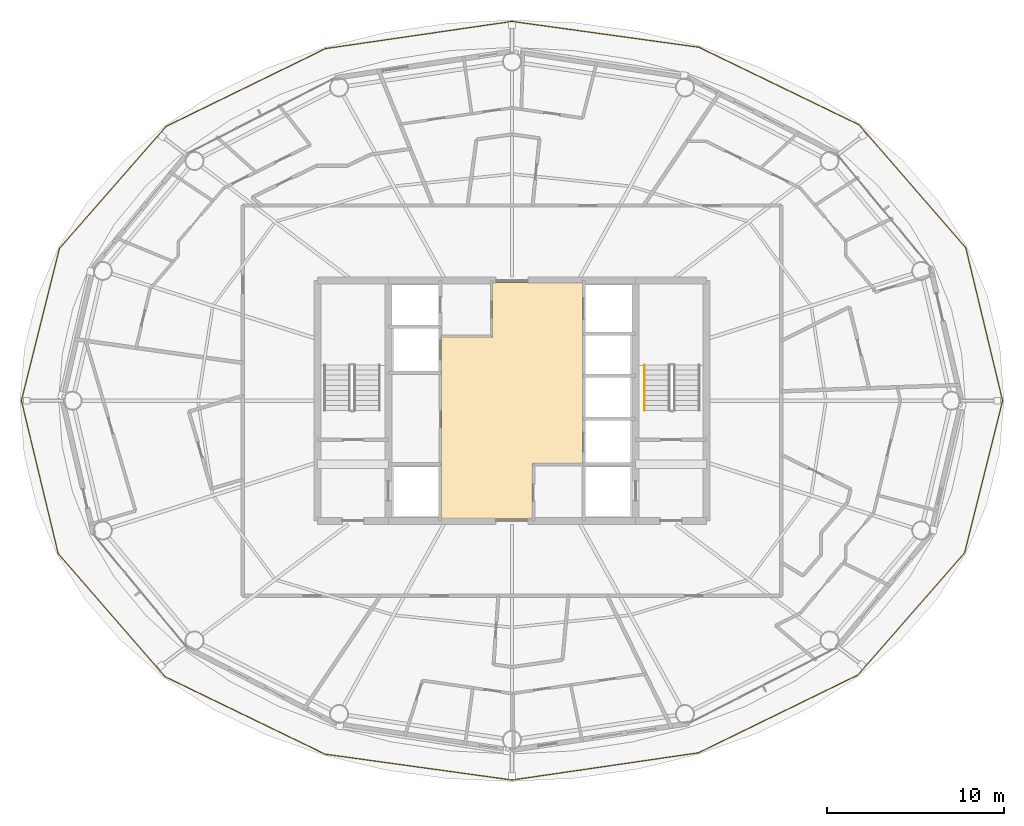
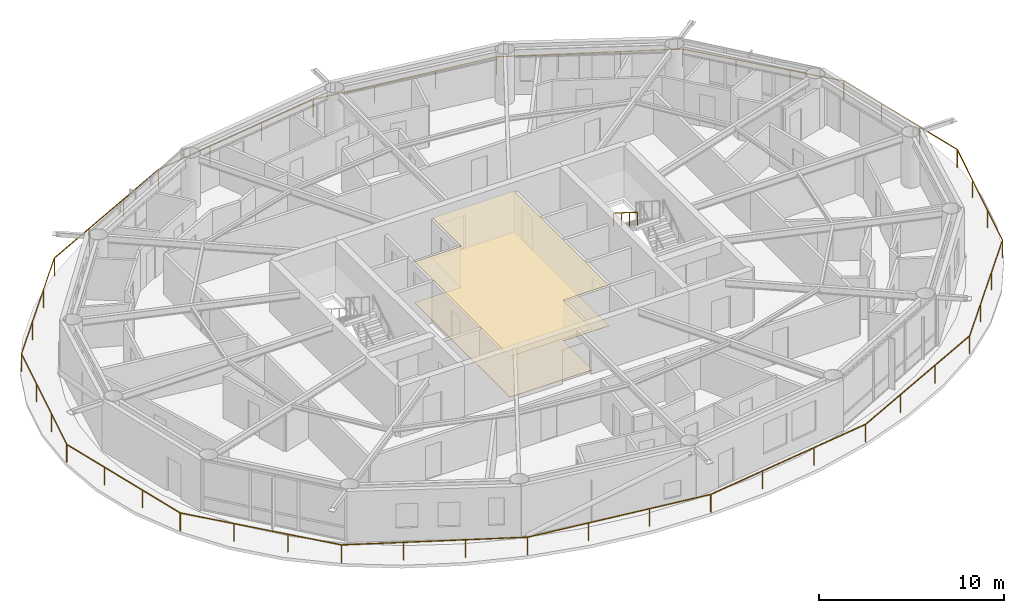
# One storey, part 22 of 23: 2 coverings, 2 railings.
"""IFC4 building model written with IfcOpenShell, lengths in metres."""

import ifcopenshell
import ifcopenshell.guid

model = None  # the IFC model being written
_history = None  # IfcOwnerHistory: only IFC2X3 demands one
_inside = {}  # id of a spatial element -> (the spatial element, [elements in it])
_under = {}  # id of a project, library or spatial element -> (it, [spatial elements below it])
_declared = {}  # id of a project -> (the project, [libraries it declares])
_typed = {}  # id of a type object -> (the type object, [elements of that type])
_made_of = {}  # id of a material, layer set ... -> (it, [elements and type objects made of it])


def new_model(schema):
    """Start an empty IFC model of exactly this schema.

    Asked for "IFC4X3", IfcOpenShell would pick the latest addendum, in which some entities
    have other attributes; the version numbers below select the first issue.
    IFC2X3 requires an IfcOwnerHistory on every rooted entity: one is made here for all.
    """
    global model, _history
    if schema == "IFC4X3":
        model = ifcopenshell.file(schema_version=(4, 3, 0, 0))
    else:
        model = ifcopenshell.file(schema=schema)
    _inside.clear()
    _under.clear()
    _declared.clear()
    _typed.clear()
    _made_of.clear()
    _history = None
    if model.schema == "IFC2X3":
        org = make("IfcOrganization", Name="unknown")
        user = make(
            "IfcPersonAndOrganization",
            ThePerson=make("IfcPerson", FamilyName="unknown"),
            TheOrganization=org,
        )
        app = make(
            "IfcApplication",
            ApplicationDeveloper=org,
            Version="unknown",
            ApplicationFullName="unknown",
            ApplicationIdentifier="unknown",
        )
        _history = make(
            "IfcOwnerHistory",
            OwningUser=user,
            OwningApplication=app,
            ChangeAction="ADDED",
            CreationDate=0,
        )
    return model


def make(cls, **values):
    """One entity of the class cls with the attributes given. An attribute that is None is left unset."""
    return model.create_entity(
        cls, **{name: value for name, value in values.items() if value is not None}
    )


def rooted(cls, **values):
    """An entity with a GlobalId (a new one), such as an element, a storey or a relation."""
    return make(cls, GlobalId=ifcopenshell.guid.new(), OwnerHistory=_history, **values)


def si_unit(unit_type, name, prefix=None):
    """IfcSIUnit, for example si_unit("LENGTHUNIT", "METRE", prefix="MILLI")."""
    return make("IfcSIUnit", UnitType=unit_type, Prefix=prefix, Name=name)


def assignment(units):
    """IfcUnitAssignment: the units of a project."""
    return None if units is None else make("IfcUnitAssignment", Units=units)


def point(xyz):
    """IfcCartesianPoint."""
    return None if xyz is None else make("IfcCartesianPoint", Coordinates=xyz)


def direction(xyz):
    """IfcDirection."""
    return None if xyz is None else make("IfcDirection", DirectionRatios=xyz)


def frame(location, z_axis=None, x_axis=None):
    """IfcAxis2Placement3D, a coordinate frame: its origin and axes. An axis left out is left unset."""
    return make(
        "IfcAxis2Placement3D",
        Location=point(location),
        Axis=direction(z_axis),
        RefDirection=direction(x_axis),
    )


def frame_2d(location, x_axis=None):
    """IfcAxis2Placement2D, a coordinate frame in the plane: its origin and x axis."""
    return make(
        "IfcAxis2Placement2D", Location=point(location), RefDirection=direction(x_axis)
    )


def origin():
    """The frame at (0, 0, 0) with its axes left unset."""
    return frame((0.0, 0.0, 0.0))


def origin_2d():
    """The frame at (0, 0) in the plane with its x axis left unset."""
    return frame_2d((0.0, 0.0))


def place(relative_to, where):
    """IfcLocalPlacement: puts the frame where relative to a parent placement (None: the world)."""
    return make(
        "IfcLocalPlacement", PlacementRelTo=relative_to, RelativePlacement=where
    )


def context(
    kind, dimensions, precision=None, world=None, true_north=None, identifier=None
):
    """IfcGeometricRepresentationContext, for example the 3D "Model" context."""
    return make(
        "IfcGeometricRepresentationContext",
        ContextIdentifier=identifier,
        ContextType=kind,
        CoordinateSpaceDimension=dimensions,
        Precision=precision,
        WorldCoordinateSystem=world,
        TrueNorth=true_north,
    )


def subcontext(parent, identifier, kind, view, scale=None):
    """IfcGeometricRepresentationSubContext, for example "Body" below "Model"."""
    return make(
        "IfcGeometricRepresentationSubContext",
        ContextIdentifier=identifier,
        ContextType=kind,
        ParentContext=parent,
        TargetScale=scale,
        TargetView=view,
    )


def project(units=None, contexts=None):
    """IfcProject with its units and contexts."""
    return rooted(
        "IfcProject",
        Name="project",
        RepresentationContexts=contexts,
        UnitsInContext=assignment(units),
    )


def spatial(cls, under=None, at=None, **own):
    """A site, building, storey or space (cls), placed at a placement, below another one or the project."""
    s = rooted(cls, ObjectPlacement=at, **own)
    if under is not None:
        _under.setdefault(under.id(), (under, []))[1].append(s)
    return s


def polyline(points):
    """IfcPolyline through the points."""
    return make("IfcPolyline", Points=[point(p) for p in points])


def profile(cls, at=None, kind="AREA", **sizes):
    """A parametric profile (cls). Its sizes go by their IFC names, for example OverallWidth=200.0."""
    return make(cls, ProfileType=kind, Position=at, **sizes)


def rectangle(**sizes):
    """IfcRectangleProfileDef."""
    return profile("IfcRectangleProfileDef", **sizes)


def outline(outer, holes=None, kind="AREA"):
    """IfcArbitraryClosedProfileDef: a profile drawn as a closed curve; with holes, ...WithVoids."""
    if holes is None:
        return make("IfcArbitraryClosedProfileDef", ProfileType=kind, OuterCurve=outer)
    return make(
        "IfcArbitraryProfileDefWithVoids",
        ProfileType=kind,
        OuterCurve=outer,
        InnerCurves=holes,
    )


def extrude(swept, where, along, depth):
    """IfcExtrudedAreaSolid: the profile swept, set in the frame where, extruded along a direction by depth."""
    return make(
        "IfcExtrudedAreaSolid",
        SweptArea=swept,
        Position=where,
        ExtrudedDirection=direction(along),
        Depth=depth,
    )


def shape(context_of_items, identifier, shape_type, items):
    """IfcShapeRepresentation: the items that make up one representation, for example the "Body"."""
    return make(
        "IfcShapeRepresentation",
        ContextOfItems=context_of_items,
        RepresentationIdentifier=identifier,
        RepresentationType=shape_type,
        Items=items,
    )


def material(Name=None, Category=None):
    """IfcMaterial."""
    return make("IfcMaterial", Name=Name, Category=Category)


def layer(
    of_material, thickness, ventilated=None, Name=None, Category=None, Priority=None
):
    """IfcMaterialLayer: one layer of a wall or slab, of a material (None: an air gap)."""
    return make(
        "IfcMaterialLayer",
        Material=of_material,
        LayerThickness=thickness,
        IsVentilated=ventilated,
        Name=Name,
        Category=Category,
        Priority=Priority,
    )


def layer_set(layers, Name=None):
    """IfcMaterialLayerSet."""
    return make("IfcMaterialLayerSet", MaterialLayers=layers, LayerSetName=Name)


def made_of(thing, what):
    """Note that an element or type object is made of a material, layer set ...; save() writes the relation."""
    if what is not None:
        _made_of.setdefault(what.id(), (what, []))[1].append(thing)
    return thing


def type_object(cls, material=None, **own):
    """A type object (cls), such as IfcWallType, which elements share."""
    return made_of(rooted(cls, **own), material)


def element(
    cls,
    number,
    at=None,
    inside=None,
    cuts=None,
    type_object=None,
    material=None,
    context=None,
    identifier="Body",
    shape_type=None,
    held_by="IfcProductDefinitionShape",
    body=None,
    shapes=None,
    **own,
):
    """One element of the class cls, such as IfcWall. Its Tag is "e" and its number.

    at: its placement. inside: the storey or other place that contains it. cuts: it is an
    opening in that element (IfcRelVoidsElement). A single representation is given by context,
    identifier, shape_type and body (its items); several are given by shapes. held_by: the class
    of the entity that holds the representations. save() writes the other relations.
    """
    e = rooted(cls, Tag="e%d" % number, ObjectPlacement=at, **own)
    if body is not None:
        shapes = [shape(context, identifier, shape_type, body)]
    if shapes is not None:
        e.Representation = make(held_by, Representations=shapes)
    if inside is not None:
        _inside.setdefault(inside.id(), (inside, []))[1].append(e)
    if cuts is not None:
        rooted(
            "IfcRelVoidsElement", RelatingBuildingElement=cuts, RelatedOpeningElement=e
        )
    if type_object is not None:
        _typed.setdefault(type_object.id(), (type_object, []))[1].append(e)
    return made_of(e, material)


def aggregate(whole, parts):
    """IfcRelAggregates: a whole, such as a stair, and the parts it consists of."""
    return rooted("IfcRelAggregates", RelatingObject=whole, RelatedObjects=parts)


def save(model, path):
    """Write the relations noted so far, then the file.

    IfcRelAggregates (storeys below a building ...), IfcRelContainedInSpatialStructure (elements
    in a storey), IfcRelDefinesByType, IfcRelAssociatesMaterial and IfcRelDeclares: one each for
    every whole, place, type object, material and project.
    """
    for whole, parts in _under.values():
        aggregate(whole, parts)
    for where, things in _inside.values():
        rooted(
            "IfcRelContainedInSpatialStructure",
            RelatedElements=things,
            RelatingStructure=where,
        )
    for kind, things in _typed.values():
        rooted("IfcRelDefinesByType", RelatedObjects=things, RelatingType=kind)
    for what, things in _made_of.values():
        rooted("IfcRelAssociatesMaterial", RelatedObjects=things, RelatingMaterial=what)
    for by, libraries in _declared.values():
        rooted("IfcRelDeclares", RelatingContext=by, RelatedDefinitions=libraries)
    model.write(path)


model = new_model("IFC4")

# Units and contexts
model_context = context("Model", 3, precision=1e-05, world=origin(), true_north=direction((0.0, 1.0)))
body_context = subcontext(model_context, "Body", "Model", "MODEL_VIEW")
ifc_project = project(units=[si_unit("LENGTHUNIT", "METRE"), si_unit("AREAUNIT", "SQUARE_METRE"), si_unit("VOLUMEUNIT", "CUBIC_METRE"), si_unit("PLANEANGLEUNIT", "RADIAN"), si_unit("MASSUNIT", "GRAM", prefix="KILO")], contexts=[model_context])

# Site, building, storey
site_placement = place(None, origin())
site = spatial("IfcSite", under=ifc_project, at=site_placement, CompositionType="ELEMENT")
building_placement = place(site_placement, origin())
building = spatial("IfcBuilding", under=site, at=building_placement, Name="Sarneth Arch Tower", CompositionType="ELEMENT")
storey_placement = place(building_placement, frame((0.0, 0.0, 235.199951171875)))
storey = spatial("IfcBuildingStorey", under=building, at=storey_placement, Name="L60", CompositionType="ELEMENT", Elevation=235.199951171875)

# Coverings
ifc_material_1 = material(Name="Perforated acoustic gypsum ceiling board")
ifc_layer_1 = layer(ifc_material_1, 0.02490234375)
ifc_layer_set_1 = layer_set([ifc_layer_1], Name="Perforated acoustic gypsum ceiling board")
covering_type_1 = type_object("IfcCoveringType", Name="COV-CEIL-GYP", PredefinedType="CEILING", material=ifc_layer_set_1)
covering_1_placement = place(storey_placement, frame((0.0, 0.0, 2.68994140625)))
element("IfcCovering", 1, at=covering_1_placement, inside=storey, type_object=covering_type_1, Name="L60 Lift lobby acoustic ceiling", PredefinedType="CEILING", context=body_context, shape_type="SweptSolid", body=[
    extrude(outline(polyline([(49.14990234375, 38.449951171875), (49.14990234375, 35.300048828125), (44.0, 35.300048828125), (44.0, 45.60009765625), (46.89990234375, 45.60009765625), (46.89990234375, 48.699951171875), (52.0, 48.699951171875), (52.0, 38.449951171875), (49.14990234375, 38.449951171875)])), origin(), (0.0, 0.0, 1.0), 0.030029296875),
])
ifc_material_2 = material(Name="Honed granite stone flooring", Category="masonry")
ifc_layer_2 = layer(ifc_material_2, 0.030029296875)
ifc_layer_set_2 = layer_set([ifc_layer_2], Name="Honed granite stone flooring")
covering_type_2 = type_object("IfcCoveringType", Name="COV-FLR-STONE", PredefinedType="FLOORING", material=ifc_layer_set_2)
covering_2_placement = place(storey_placement, origin())
element("IfcCovering", 2, at=covering_2_placement, inside=storey, type_object=covering_type_2, Name="L60 Lift lobby granite flooring", PredefinedType="FLOORING", context=body_context, shape_type="SweptSolid", body=[
    extrude(outline(polyline([(49.14990234375, 38.449951171875), (49.14990234375, 35.300048828125), (44.0, 35.300048828125), (44.0, 45.60009765625), (46.89990234375, 45.60009765625), (46.89990234375, 48.699951171875), (52.0, 48.699951171875), (52.0, 38.449951171875), (49.14990234375, 38.449951171875)])), origin(), (0.0, 0.0, 1.0), 0.030029296875),
])

# Railings
ifc_material_3 = material(Name="Laminated structural glass infill with Stainless Steel 316 top rail and posts", Category="steel")
railing_type_1 = type_object("IfcRailingType", Name="RAIL-BALC-1200", PredefinedType="BALUSTRADE", material=ifc_material_3)
railing_1_placement = place(storey_placement, frame((75.77587890625, 42.0, 0.0)))
element("IfcRailing", 3, at=railing_1_placement, inside=storey, type_object=railing_type_1, Name="L60 Helical balcony glass balustrade", PredefinedType="BALUSTRADE", context=body_context, shape_type="SweptSolid", body=[
    extrude(rectangle(XDim=0.048095703125, YDim=0.048095703125, at=origin_2d()), frame((0.0, 0.0, 1.17578125), z_axis=(-0.23393386754, 0.972252511243, 0.0), x_axis=(-0.972252511243, -0.23393386754, 0.0)), (0.0, 0.0, 1.0), 8.9052734375),
    extrude(rectangle(XDim=0.048095703125, YDim=0.048095703125, at=origin_2d()), frame((-2.083251953125, 8.658203125, 1.17578125), z_axis=(-0.655413300082, 0.755270419172, 0.0), x_axis=(-0.755270419172, -0.655413300082, 0.0)), (0.0, 0.0, 1.0), 9.2197265625),
    extrude(rectangle(XDim=0.048095703125, YDim=0.048095703125, at=origin_2d()), frame((-8.1259765625, 15.62158203125, 1.17578125), z_axis=(-0.900108693958, 0.435665398053, 0.0), x_axis=(-0.435665398053, -0.900108693958, 0.0)), (0.0, 0.0, 1.0), 10.07861328125),
    extrude(rectangle(XDim=0.048095703125, YDim=0.048095703125, at=origin_2d()), frame((-17.19775390625, 20.012451171875, 1.17578125), z_axis=(-0.990578611363, 0.136945298238, 0.0), x_axis=(-0.136945298238, -0.990578611363, 0.0)), (0.0, 0.0, 1.0), 10.6787109375),
    extrude(rectangle(XDim=0.048095703125, YDim=0.048095703125, at=origin_2d()), frame((-27.77587890625, 21.474853515625, 1.17578125), z_axis=(-0.989540742628, -0.144253660885, 0.0), x_axis=(0.144253660885, -0.989540742628, 0.0)), (0.0, 0.0, 1.0), 10.665771484375),
    extrude(rectangle(XDim=0.048095703125, YDim=0.048095703125, at=origin_2d()), frame((-38.330078125, 19.936279296875, 1.17578125), z_axis=(-0.898730601607, -0.438501203802, 0.0), x_axis=(0.438501203802, -0.898730601607, 0.0)), (0.0, 0.0, 1.0), 10.045166015625),
    extrude(rectangle(XDim=0.048095703125, YDim=0.048095703125, at=origin_2d()), frame((-47.35791015625, 15.531494140625, 1.17578125), z_axis=(-0.658067679289, -0.752958783384, 0.0), x_axis=(0.752958783384, -0.658067679289, 0.0)), (0.0, 0.0, 1.0), 9.179931640625),
    extrude(rectangle(XDim=0.048095703125, YDim=0.048095703125, at=origin_2d()), frame((-53.39892578125, 8.619384765625, 1.17578125), z_axis=(-0.242322241881, -0.970195821002, 0.0), x_axis=(0.970195821002, -0.242322241881, 0.0)), (0.0, 0.0, 1.0), 8.88427734375),
    extrude(rectangle(XDim=0.048095703125, YDim=0.048095703125, at=origin_2d()), frame((-55.5517578125, 0.0, 1.17578125), z_axis=(0.23393386754, -0.972252511243, 0.0), x_axis=(0.972252511243, 0.23393386754, 0.0)), (0.0, 0.0, 1.0), 8.9052734375),
    extrude(rectangle(XDim=0.048095703125, YDim=0.048095703125, at=origin_2d()), frame((-53.468505859375, -8.658203125, 1.17578125), z_axis=(0.655413300082, -0.755270419172, 0.0), x_axis=(0.755270419172, 0.655413300082, 0.0)), (0.0, 0.0, 1.0), 9.2197265625),
    extrude(rectangle(XDim=0.048095703125, YDim=0.048095703125, at=origin_2d()), frame((-47.42578125, -15.62158203125, 1.17578125), z_axis=(0.900108693958, -0.435665398053, 0.0), x_axis=(0.435665398053, 0.900108693958, 0.0)), (0.0, 0.0, 1.0), 10.07861328125),
    extrude(rectangle(XDim=0.048095703125, YDim=0.048095703125, at=origin_2d()), frame((-38.35400390625, -20.012451171875, 1.17578125), z_axis=(0.990578611363, -0.136945298238, 0.0), x_axis=(0.136945298238, 0.990578611363, 0.0)), (0.0, 0.0, 1.0), 10.6787109375),
    extrude(rectangle(XDim=0.048095703125, YDim=0.048095703125, at=origin_2d()), frame((-27.77587890625, -21.474853515625, 1.17578125), z_axis=(0.989540742628, 0.144253660885, 0.0), x_axis=(-0.144253660885, 0.989540742628, 0.0)), (0.0, 0.0, 1.0), 10.665771484375),
    extrude(rectangle(XDim=0.048095703125, YDim=0.048095703125, at=origin_2d()), frame((-17.2216796875, -19.936279296875, 1.17578125), z_axis=(0.898730601607, 0.438501203802, 0.0), x_axis=(-0.438501203802, 0.898730601607, 0.0)), (0.0, 0.0, 1.0), 10.045166015625),
    extrude(rectangle(XDim=0.048095703125, YDim=0.048095703125, at=origin_2d()), frame((-8.19384765625, -15.531494140625, 1.17578125), z_axis=(0.658067679289, 0.752958783384, 0.0), x_axis=(-0.752958783384, 0.658067679289, 0.0)), (0.0, 0.0, 1.0), 9.179931640625),
    extrude(rectangle(XDim=0.048095703125, YDim=0.048095703125, at=origin_2d()), frame((-2.15283203125, -8.619384765625, 1.17578125), z_axis=(0.242322241881, 0.970195821002, 0.0), x_axis=(-0.970195821002, 0.242322241881, 0.0)), (0.0, 0.0, 1.0), 8.88427734375),
    extrude(rectangle(XDim=0.0419921875, YDim=0.0419921875, at=origin_2d()), origin(), (0.0, 0.0, 1.0), 1.15185546875),
    extrude(rectangle(XDim=0.0419921875, YDim=0.0419921875, at=origin_2d()), frame((-0.6943359375, 2.885986328125, 0.0)), (0.0, 0.0, 1.0), 1.15185546875),
    extrude(rectangle(XDim=0.0419921875, YDim=0.0419921875, at=origin_2d()), frame((-1.388916015625, 5.772216796875, 0.0)), (0.0, 0.0, 1.0), 1.15185546875),
    extrude(rectangle(XDim=0.0419921875, YDim=0.0419921875, at=origin_2d()), frame((-2.083251953125, 8.658203125, 0.0)), (0.0, 0.0, 1.0), 1.15185546875),
    extrude(rectangle(XDim=0.0419921875, YDim=0.0419921875, at=origin_2d()), frame((-4.097412109375, 10.979248046875, 0.0)), (0.0, 0.0, 1.0), 1.15185546875),
    extrude(rectangle(XDim=0.0419921875, YDim=0.0419921875, at=origin_2d()), frame((-6.11181640625, 13.300537109375, 0.0)), (0.0, 0.0, 1.0), 1.15185546875),
    extrude(rectangle(XDim=0.0419921875, YDim=0.0419921875, at=origin_2d()), frame((-8.1259765625, 15.62158203125, 0.0)), (0.0, 0.0, 1.0), 1.15185546875),
    extrude(rectangle(XDim=0.0419921875, YDim=0.0419921875, at=origin_2d()), frame((-11.14990234375, 17.085205078125, 0.0)), (0.0, 0.0, 1.0), 1.15185546875),
    extrude(rectangle(XDim=0.0419921875, YDim=0.0419921875, at=origin_2d()), frame((-14.173828125, 18.548828125, 0.0)), (0.0, 0.0, 1.0), 1.15185546875),
    extrude(rectangle(XDim=0.0419921875, YDim=0.0419921875, at=origin_2d()), frame((-17.19775390625, 20.012451171875, 0.0)), (0.0, 0.0, 1.0), 1.15185546875),
    extrude(rectangle(XDim=0.0419921875, YDim=0.0419921875, at=origin_2d()), frame((-20.723876953125, 20.5, 0.0)), (0.0, 0.0, 1.0), 1.15185546875),
    extrude(rectangle(XDim=0.0419921875, YDim=0.0419921875, at=origin_2d()), frame((-24.249755859375, 20.9873046875, 0.0)), (0.0, 0.0, 1.0), 1.15185546875),
    extrude(rectangle(XDim=0.0419921875, YDim=0.0419921875, at=origin_2d()), frame((-27.77587890625, 21.474853515625, 0.0)), (0.0, 0.0, 1.0), 1.15185546875),
    extrude(rectangle(XDim=0.0419921875, YDim=0.0419921875, at=origin_2d()), frame((-31.2939453125, 20.9619140625, 0.0)), (0.0, 0.0, 1.0), 1.15185546875),
    extrude(rectangle(XDim=0.0419921875, YDim=0.0419921875, at=origin_2d()), frame((-34.81201171875, 20.44921875, 0.0)), (0.0, 0.0, 1.0), 1.15185546875),
    extrude(rectangle(XDim=0.0419921875, YDim=0.0419921875, at=origin_2d()), frame((-38.330078125, 19.936279296875, 0.0)), (0.0, 0.0, 1.0), 1.15185546875),
    extrude(rectangle(XDim=0.0419921875, YDim=0.0419921875, at=origin_2d()), frame((-41.33935546875, 18.468017578125, 0.0)), (0.0, 0.0, 1.0), 1.15185546875),
    extrude(rectangle(XDim=0.0419921875, YDim=0.0419921875, at=origin_2d()), frame((-44.3486328125, 16.999755859375, 0.0)), (0.0, 0.0, 1.0), 1.15185546875),
    extrude(rectangle(XDim=0.0419921875, YDim=0.0419921875, at=origin_2d()), frame((-47.35791015625, 15.531494140625, 0.0)), (0.0, 0.0, 1.0), 1.15185546875),
    extrude(rectangle(XDim=0.0419921875, YDim=0.0419921875, at=origin_2d()), frame((-49.37158203125, 13.2275390625, 0.0)), (0.0, 0.0, 1.0), 1.15185546875),
    extrude(rectangle(XDim=0.0419921875, YDim=0.0419921875, at=origin_2d()), frame((-51.38525390625, 10.92333984375, 0.0)), (0.0, 0.0, 1.0), 1.15185546875),
    extrude(rectangle(XDim=0.0419921875, YDim=0.0419921875, at=origin_2d()), frame((-53.39892578125, 8.619384765625, 0.0)), (0.0, 0.0, 1.0), 1.15185546875),
    extrude(rectangle(XDim=0.0419921875, YDim=0.0419921875, at=origin_2d()), frame((-54.116455078125, 5.746337890625, 0.0)), (0.0, 0.0, 1.0), 1.15185546875),
    extrude(rectangle(XDim=0.0419921875, YDim=0.0419921875, at=origin_2d()), frame((-54.834228515625, 2.873046875, 0.0)), (0.0, 0.0, 1.0), 1.15185546875),
    extrude(rectangle(XDim=0.0419921875, YDim=0.0419921875, at=origin_2d()), frame((-55.5517578125, 0.0, 0.0)), (0.0, 0.0, 1.0), 1.15185546875),
    extrude(rectangle(XDim=0.0419921875, YDim=0.0419921875, at=origin_2d()), frame((-54.857421875, -2.885986328125, 0.0)), (0.0, 0.0, 1.0), 1.15185546875),
    extrude(rectangle(XDim=0.0419921875, YDim=0.0419921875, at=origin_2d()), frame((-54.162841796875, -5.772216796875, 0.0)), (0.0, 0.0, 1.0), 1.15185546875),
    extrude(rectangle(XDim=0.0419921875, YDim=0.0419921875, at=origin_2d()), frame((-53.468505859375, -8.658203125, 0.0)), (0.0, 0.0, 1.0), 1.15185546875),
    extrude(rectangle(XDim=0.0419921875, YDim=0.0419921875, at=origin_2d()), frame((-51.454345703125, -10.979248046875, 0.0)), (0.0, 0.0, 1.0), 1.15185546875),
    extrude(rectangle(XDim=0.0419921875, YDim=0.0419921875, at=origin_2d()), frame((-49.43994140625, -13.300537109375, 0.0)), (0.0, 0.0, 1.0), 1.15185546875),
    extrude(rectangle(XDim=0.0419921875, YDim=0.0419921875, at=origin_2d()), frame((-47.42578125, -15.62158203125, 0.0)), (0.0, 0.0, 1.0), 1.15185546875),
    extrude(rectangle(XDim=0.0419921875, YDim=0.0419921875, at=origin_2d()), frame((-44.40185546875, -17.085205078125, 0.0)), (0.0, 0.0, 1.0), 1.15185546875),
    extrude(rectangle(XDim=0.0419921875, YDim=0.0419921875, at=origin_2d()), frame((-41.3779296875, -18.548828125, 0.0)), (0.0, 0.0, 1.0), 1.15185546875),
    extrude(rectangle(XDim=0.0419921875, YDim=0.0419921875, at=origin_2d()), frame((-38.35400390625, -20.012451171875, 0.0)), (0.0, 0.0, 1.0), 1.15185546875),
    extrude(rectangle(XDim=0.0419921875, YDim=0.0419921875, at=origin_2d()), frame((-34.827880859375, -20.5, 0.0)), (0.0, 0.0, 1.0), 1.15185546875),
    extrude(rectangle(XDim=0.0419921875, YDim=0.0419921875, at=origin_2d()), frame((-31.302001953125, -20.9873046875, 0.0)), (0.0, 0.0, 1.0), 1.15185546875),
    extrude(rectangle(XDim=0.0419921875, YDim=0.0419921875, at=origin_2d()), frame((-27.77587890625, -21.474853515625, 0.0)), (0.0, 0.0, 1.0), 1.15185546875),
    extrude(rectangle(XDim=0.0419921875, YDim=0.0419921875, at=origin_2d()), frame((-24.2578125, -20.9619140625, 0.0)), (0.0, 0.0, 1.0), 1.15185546875),
    extrude(rectangle(XDim=0.0419921875, YDim=0.0419921875, at=origin_2d()), frame((-20.73974609375, -20.44921875, 0.0)), (0.0, 0.0, 1.0), 1.15185546875),
    extrude(rectangle(XDim=0.0419921875, YDim=0.0419921875, at=origin_2d()), frame((-17.2216796875, -19.936279296875, 0.0)), (0.0, 0.0, 1.0), 1.15185546875),
    extrude(rectangle(XDim=0.0419921875, YDim=0.0419921875, at=origin_2d()), frame((-14.21240234375, -18.468017578125, 0.0)), (0.0, 0.0, 1.0), 1.15185546875),
    extrude(rectangle(XDim=0.0419921875, YDim=0.0419921875, at=origin_2d()), frame((-11.203125, -16.999755859375, 0.0)), (0.0, 0.0, 1.0), 1.15185546875),
    extrude(rectangle(XDim=0.0419921875, YDim=0.0419921875, at=origin_2d()), frame((-8.19384765625, -15.531494140625, 0.0)), (0.0, 0.0, 1.0), 1.15185546875),
    extrude(rectangle(XDim=0.0419921875, YDim=0.0419921875, at=origin_2d()), frame((-6.18017578125, -13.2275390625, 0.0)), (0.0, 0.0, 1.0), 1.15185546875),
    extrude(rectangle(XDim=0.0419921875, YDim=0.0419921875, at=origin_2d()), frame((-4.16650390625, -10.92333984375, 0.0)), (0.0, 0.0, 1.0), 1.15185546875),
    extrude(rectangle(XDim=0.0419921875, YDim=0.0419921875, at=origin_2d()), frame((-2.15283203125, -8.619384765625, 0.0)), (0.0, 0.0, 1.0), 1.15185546875),
    extrude(rectangle(XDim=0.0419921875, YDim=0.0419921875, at=origin_2d()), frame((-1.435302734375, -5.746337890625, 0.0)), (0.0, 0.0, 1.0), 1.15185546875),
    extrude(rectangle(XDim=0.0419921875, YDim=0.0419921875, at=origin_2d()), frame((-0.717529296875, -2.873046875, 0.0)), (0.0, 0.0, 1.0), 1.15185546875),
])
ifc_material_4 = material(Name="Brushed Stainless Steel 304 tubular handrail", Category="steel")
railing_type_2 = type_object("IfcRailingType", Name="RAIL-HANDRAIL-900", PredefinedType="HANDRAIL", material=ifc_material_4)
railing_2_placement = place(storey_placement, frame((55.5, 44.014892578125, 1.97998046875)))
element("IfcRailing", 4, at=railing_2_placement, inside=storey, type_object=railing_type_2, Name="L60 ST-2 stair handrail 2", PredefinedType="HANDRAIL", context=body_context, shape_type="SweptSolid", body=[
    extrude(rectangle(XDim=0.048095703125, YDim=0.048095703125, at=origin_2d()), frame((0.0, 0.0, 0.8759765625), z_axis=(0.0, -0.845465955043, 0.534029323973), x_axis=(1.0, 0.0, 0.0)), (0.0, 0.0, 1.0), 3.03369140625),
    extrude(rectangle(XDim=0.0419921875, YDim=0.0419921875, at=origin_2d()), origin(), (0.0, 0.0, 1.0), 0.851806640625),
    extrude(rectangle(XDim=0.0419921875, YDim=0.0419921875, at=origin_2d()), frame((0.0, -0.85498046875, 0.5400390625)), (0.0, 0.0, 1.0), 0.851806640625),
    extrude(rectangle(XDim=0.0419921875, YDim=0.0419921875, at=origin_2d()), frame((0.0, -1.7099609375, 1.080078125)), (0.0, 0.0, 1.0), 0.851806640625),
    extrude(rectangle(XDim=0.0419921875, YDim=0.0419921875, at=origin_2d()), frame((0.0, -2.56494140625, 1.6201171875)), (0.0, 0.0, 1.0), 0.851806640625),
])

save(model, "model.ifc")
